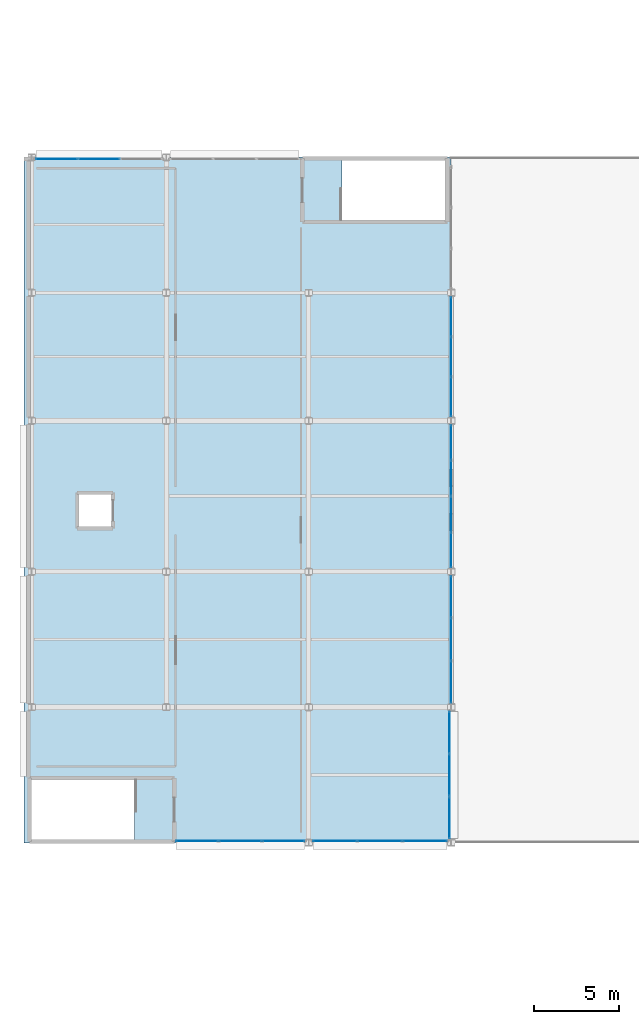
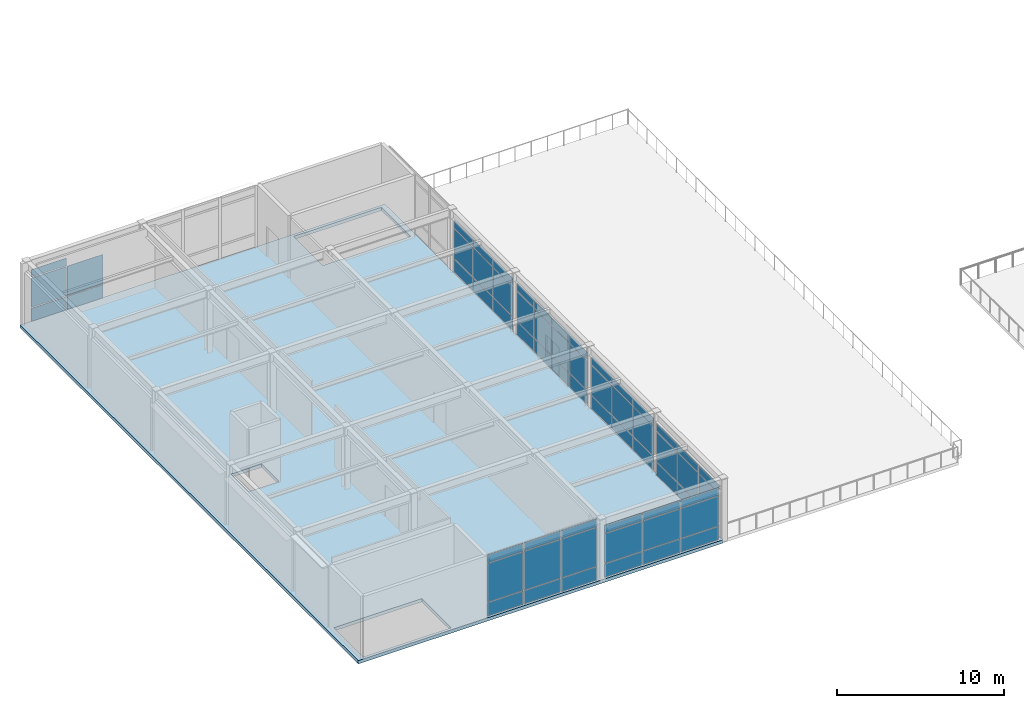
# One storey, part 44 of 61: 62 plates, 1 slab, 7 elements without a shape of their own.
"""IFC4 building model written with IfcOpenShell, lengths in metres."""

from ifc_helpers import new_model, si_unit, direction, frame, origin, origin_2d, place, context, subcontext, project, spatial, polyline, rectangle, outline, extrude, material, layer, layer_set, type_object, element, aggregate, save


model = new_model("IFC4")

# Units and contexts
model_context = context("Model", 3, precision=1e-05, world=origin(), true_north=direction((0.0, 1.0)))
body_context = subcontext(model_context, "Body", "Model", "MODEL_VIEW")
ifc_project = project(units=[si_unit("LENGTHUNIT", "METRE"), si_unit("AREAUNIT", "SQUARE_METRE"), si_unit("VOLUMEUNIT", "CUBIC_METRE"), si_unit("PLANEANGLEUNIT", "RADIAN"), si_unit("MASSUNIT", "GRAM", prefix="KILO")], contexts=[model_context])

# Site, building, storey
site_placement = place(None, origin())
site = spatial("IfcSite", under=ifc_project, at=site_placement, CompositionType="ELEMENT")
building_placement = place(site_placement, origin())
building = spatial("IfcBuilding", under=site, at=building_placement, Name="Kazehara Bluff Congress Hotel", CompositionType="ELEMENT")
storey_placement = place(building_placement, frame((0.0, 0.0, 19.800048828125)))
storey = spatial("IfcBuildingStorey", under=building, at=storey_placement, Name="L04", CompositionType="ELEMENT", Elevation=19.800048828125)

# Curtain wall, plates
ifc_material_1 = material(Name="Anodised aluminium", Category="aluminium")
ifc_layer_1 = layer(ifc_material_1, 0.159912109375)
ifc_layer_set_1 = layer_set([ifc_layer_1], Name="Anodised aluminium")
curtain_wall_type_1 = type_object("IfcCurtainWallType", Name="TP-CW-63", PredefinedType="NOTDEFINED", material=ifc_layer_set_1)
curtain_wall_1_placement = place(storey_placement, origin())
curtain_wall_1 = element("IfcCurtainWall", 1, at=curtain_wall_1_placement, inside=storey, type_object=curtain_wall_type_1, Name="L04 curtain wall CW-63 CW-V4-L04-X8445-2420", PredefinedType="NOTDEFINED")
ifc_material_2 = material(Name="Insulated low-E double glazing", Category="glass")
ifc_layer_2 = layer(ifc_material_2, 0.028076171875)
ifc_layer_set_2 = layer_set([ifc_layer_2], Name="Insulated low-E double glazing")
plate_type_1 = type_object("IfcPlateType", Name="TP-CWP-01", PredefinedType="CURTAIN_PANEL", material=ifc_layer_set_2)
plate_1_placement = place(storey_placement, frame((84.449951171875, 25.48291015625, 0.06494140625), z_axis=(0.0, 0.0, 1.0), x_axis=(0.0, 1.0, 0.0)))
plate_1 = element("IfcPlate", 2, at=plate_1_placement, type_object=plate_type_1, Name="CW-63 panel 1.1", PredefinedType="CURTAIN_PANEL", context=body_context, shape_type="SweptSolid", body=[
    extrude(rectangle(XDim=2.435791015625, YDim=0.028076171875, at=origin_2d()), origin(), (0.0, 0.0, 1.0), 0.952392578125),
])
plate_2_placement = place(storey_placement, frame((84.449951171875, 25.48291015625, 1.08251953125), z_axis=(0.0, 0.0, 1.0), x_axis=(0.0, 1.0, 0.0)))
plate_2 = element("IfcPlate", 3, at=plate_2_placement, type_object=plate_type_1, Name="CW-63 panel 1.2", PredefinedType="CURTAIN_PANEL", context=body_context, shape_type="SweptSolid", body=[
    extrude(rectangle(XDim=2.435791015625, YDim=0.028076171875, at=origin_2d()), origin(), (0.0, 0.0, 1.0), 2.139892578125),
])
plate_3_placement = place(storey_placement, frame((84.449951171875, 25.48291015625, 3.28759765625), z_axis=(0.0, 0.0, 1.0), x_axis=(0.0, 1.0, 0.0)))
plate_3 = element("IfcPlate", 4, at=plate_3_placement, type_object=plate_type_1, Name="CW-63 panel 1.3", PredefinedType="CURTAIN_PANEL", context=body_context, shape_type="SweptSolid", body=[
    extrude(rectangle(XDim=2.435791015625, YDim=0.028076171875, at=origin_2d()), origin(), (0.0, 0.0, 1.0), 0.552490234375),
])
plate_4_placement = place(storey_placement, frame((84.449951171875, 28.0, 0.06494140625), z_axis=(0.0, 0.0, 1.0), x_axis=(0.0, 1.0, 0.0)))
plate_4 = element("IfcPlate", 5, at=plate_4_placement, type_object=plate_type_1, Name="CW-63 panel 2.1", PredefinedType="CURTAIN_PANEL", context=body_context, shape_type="SweptSolid", body=[
    extrude(rectangle(XDim=2.46826171875, YDim=0.028076171875, at=origin_2d()), origin(), (0.0, 0.0, 1.0), 0.952392578125),
])
plate_5_placement = place(storey_placement, frame((84.449951171875, 28.0, 1.08251953125), z_axis=(0.0, 0.0, 1.0), x_axis=(0.0, 1.0, 0.0)))
plate_5 = element("IfcPlate", 6, at=plate_5_placement, type_object=plate_type_1, Name="CW-63 panel 2.2", PredefinedType="CURTAIN_PANEL", context=body_context, shape_type="SweptSolid", body=[
    extrude(rectangle(XDim=2.46826171875, YDim=0.028076171875, at=origin_2d()), origin(), (0.0, 0.0, 1.0), 2.139892578125),
])
plate_6_placement = place(storey_placement, frame((84.449951171875, 28.0, 3.28759765625), z_axis=(0.0, 0.0, 1.0), x_axis=(0.0, 1.0, 0.0)))
plate_6 = element("IfcPlate", 7, at=plate_6_placement, type_object=plate_type_1, Name="CW-63 panel 2.3", PredefinedType="CURTAIN_PANEL", context=body_context, shape_type="SweptSolid", body=[
    extrude(rectangle(XDim=2.46826171875, YDim=0.028076171875, at=origin_2d()), origin(), (0.0, 0.0, 1.0), 0.552490234375),
])
plate_7_placement = place(storey_placement, frame((84.449951171875, 30.51708984375, 0.06494140625), z_axis=(0.0, 0.0, 1.0), x_axis=(0.0, 1.0, 0.0)))
plate_7 = element("IfcPlate", 8, at=plate_7_placement, type_object=plate_type_1, Name="CW-63 panel 3.1", PredefinedType="CURTAIN_PANEL", context=body_context, shape_type="SweptSolid", body=[
    extrude(rectangle(XDim=2.435791015625, YDim=0.028076171875, at=origin_2d()), origin(), (0.0, 0.0, 1.0), 0.952392578125),
])
plate_8_placement = place(storey_placement, frame((84.449951171875, 30.51708984375, 1.08251953125), z_axis=(0.0, 0.0, 1.0), x_axis=(0.0, 1.0, 0.0)))
plate_8 = element("IfcPlate", 9, at=plate_8_placement, type_object=plate_type_1, Name="CW-63 panel 3.2", PredefinedType="CURTAIN_PANEL", context=body_context, shape_type="SweptSolid", body=[
    extrude(rectangle(XDim=2.435791015625, YDim=0.028076171875, at=origin_2d()), origin(), (0.0, 0.0, 1.0), 2.139892578125),
])
plate_9_placement = place(storey_placement, frame((84.449951171875, 30.51708984375, 3.28759765625), z_axis=(0.0, 0.0, 1.0), x_axis=(0.0, 1.0, 0.0)))
plate_9 = element("IfcPlate", 10, at=plate_9_placement, type_object=plate_type_1, Name="CW-63 panel 3.3", PredefinedType="CURTAIN_PANEL", context=body_context, shape_type="SweptSolid", body=[
    extrude(rectangle(XDim=2.435791015625, YDim=0.028076171875, at=origin_2d()), origin(), (0.0, 0.0, 1.0), 0.552490234375),
])
aggregate(curtain_wall_1, [plate_1, plate_2, plate_3, plate_4, plate_5, plate_6, plate_7, plate_8, plate_9])

ifc_material_3 = material(Name="Anodised aluminium", Category="aluminium")
ifc_layer_3 = layer(ifc_material_3, 0.159912109375)
ifc_layer_set_3 = layer_set([ifc_layer_3], Name="Anodised aluminium")
curtain_wall_type_2 = type_object("IfcCurtainWallType", Name="TP-CW-64", PredefinedType="NOTDEFINED", material=ifc_layer_set_3)
curtain_wall_2_placement = place(storey_placement, origin())
curtain_wall_2 = element("IfcCurtainWall", 11, at=curtain_wall_2_placement, inside=storey, type_object=curtain_wall_type_2, Name="L04 curtain wall CW-64 CW-V4-L04-X8445-3220", PredefinedType="NOTDEFINED")
plate_10_placement = place(storey_placement, frame((84.449951171875, 33.27880859375, 0.06494140625), z_axis=(0.0, 0.0, 1.0), x_axis=(0.0, 1.0, 0.0)))
plate_10 = element("IfcPlate", 12, at=plate_10_placement, type_object=plate_type_1, Name="CW-64 panel 1.1", PredefinedType="CURTAIN_PANEL", context=body_context, shape_type="SweptSolid", body=[
    extrude(rectangle(XDim=2.027587890625, YDim=0.028076171875, at=origin_2d()), origin(), (0.0, 0.0, 1.0), 0.952392578125),
])
plate_11_placement = place(storey_placement, frame((84.449951171875, 33.27880859375, 1.08251953125), z_axis=(0.0, 0.0, 1.0), x_axis=(0.0, 1.0, 0.0)))
plate_11 = element("IfcPlate", 13, at=plate_11_placement, type_object=plate_type_1, Name="CW-64 panel 1.2", PredefinedType="CURTAIN_PANEL", context=body_context, shape_type="SweptSolid", body=[
    extrude(rectangle(XDim=2.027587890625, YDim=0.028076171875, at=origin_2d()), origin(), (0.0, 0.0, 1.0), 2.139892578125),
])
plate_12_placement = place(storey_placement, frame((84.449951171875, 33.27880859375, 3.28759765625), z_axis=(0.0, 0.0, 1.0), x_axis=(0.0, 1.0, 0.0)))
plate_12 = element("IfcPlate", 14, at=plate_12_placement, type_object=plate_type_1, Name="CW-64 panel 1.3", PredefinedType="CURTAIN_PANEL", context=body_context, shape_type="SweptSolid", body=[
    extrude(rectangle(XDim=2.027587890625, YDim=0.028076171875, at=origin_2d()), origin(), (0.0, 0.0, 1.0), 0.552490234375),
])
plate_13_placement = place(storey_placement, frame((84.449951171875, 35.387451171875, 0.06494140625), z_axis=(0.0, 0.0, 1.0), x_axis=(0.0, 1.0, 0.0)))
plate_13 = element("IfcPlate", 15, at=plate_13_placement, type_object=plate_type_1, Name="CW-64 panel 2.1", PredefinedType="CURTAIN_PANEL", context=body_context, shape_type="SweptSolid", body=[
    extrude(rectangle(XDim=2.06005859375, YDim=0.028076171875, at=origin_2d()), origin(), (0.0, 0.0, 1.0), 0.952392578125),
])
plate_14_placement = place(storey_placement, frame((84.449951171875, 35.387451171875, 1.08251953125), z_axis=(0.0, 0.0, 1.0), x_axis=(0.0, 1.0, 0.0)))
plate_14 = element("IfcPlate", 16, at=plate_14_placement, type_object=plate_type_1, Name="CW-64 panel 2.2", PredefinedType="CURTAIN_PANEL", context=body_context, shape_type="SweptSolid", body=[
    extrude(rectangle(XDim=2.06005859375, YDim=0.028076171875, at=origin_2d()), origin(), (0.0, 0.0, 1.0), 2.139892578125),
])
plate_15_placement = place(storey_placement, frame((84.449951171875, 35.387451171875, 3.28759765625), z_axis=(0.0, 0.0, 1.0), x_axis=(0.0, 1.0, 0.0)))
plate_15 = element("IfcPlate", 17, at=plate_15_placement, type_object=plate_type_1, Name="CW-64 panel 2.3", PredefinedType="CURTAIN_PANEL", context=body_context, shape_type="SweptSolid", body=[
    extrude(rectangle(XDim=2.06005859375, YDim=0.028076171875, at=origin_2d()), origin(), (0.0, 0.0, 1.0), 0.552490234375),
])
plate_16_placement = place(storey_placement, frame((84.449951171875, 37.512451171875, 0.06494140625), z_axis=(0.0, 0.0, 1.0), x_axis=(0.0, 1.0, 0.0)))
plate_16 = element("IfcPlate", 18, at=plate_16_placement, type_object=plate_type_1, Name="CW-64 panel 3.1", PredefinedType="CURTAIN_PANEL", context=body_context, shape_type="SweptSolid", body=[
    extrude(rectangle(XDim=2.06005859375, YDim=0.028076171875, at=origin_2d()), origin(), (0.0, 0.0, 1.0), 0.952392578125),
])
plate_17_placement = place(storey_placement, frame((84.449951171875, 37.512451171875, 1.08251953125), z_axis=(0.0, 0.0, 1.0), x_axis=(0.0, 1.0, 0.0)))
plate_17 = element("IfcPlate", 19, at=plate_17_placement, type_object=plate_type_1, Name="CW-64 panel 3.2", PredefinedType="CURTAIN_PANEL", context=body_context, shape_type="SweptSolid", body=[
    extrude(rectangle(XDim=2.06005859375, YDim=0.028076171875, at=origin_2d()), origin(), (0.0, 0.0, 1.0), 2.139892578125),
])
plate_18_placement = place(storey_placement, frame((84.449951171875, 37.512451171875, 3.28759765625), z_axis=(0.0, 0.0, 1.0), x_axis=(0.0, 1.0, 0.0)))
plate_18 = element("IfcPlate", 20, at=plate_18_placement, type_object=plate_type_1, Name="CW-64 panel 3.3", PredefinedType="CURTAIN_PANEL", context=body_context, shape_type="SweptSolid", body=[
    extrude(rectangle(XDim=2.06005859375, YDim=0.028076171875, at=origin_2d()), origin(), (0.0, 0.0, 1.0), 0.552490234375),
])
plate_19_placement = place(storey_placement, frame((84.449951171875, 39.621337890625, 0.06494140625), z_axis=(0.0, 0.0, 1.0), x_axis=(0.0, 1.0, 0.0)))
plate_19 = element("IfcPlate", 21, at=plate_19_placement, type_object=plate_type_1, Name="CW-64 panel 4.1", PredefinedType="CURTAIN_PANEL", context=body_context, shape_type="SweptSolid", body=[
    extrude(rectangle(XDim=2.027587890625, YDim=0.028076171875, at=origin_2d()), origin(), (0.0, 0.0, 1.0), 0.952392578125),
])
plate_20_placement = place(storey_placement, frame((84.449951171875, 39.621337890625, 1.08251953125), z_axis=(0.0, 0.0, 1.0), x_axis=(0.0, 1.0, 0.0)))
plate_20 = element("IfcPlate", 22, at=plate_20_placement, type_object=plate_type_1, Name="CW-64 panel 4.2", PredefinedType="CURTAIN_PANEL", context=body_context, shape_type="SweptSolid", body=[
    extrude(rectangle(XDim=2.027587890625, YDim=0.028076171875, at=origin_2d()), origin(), (0.0, 0.0, 1.0), 2.139892578125),
])
plate_21_placement = place(storey_placement, frame((84.449951171875, 39.621337890625, 3.28759765625), z_axis=(0.0, 0.0, 1.0), x_axis=(0.0, 1.0, 0.0)))
plate_21 = element("IfcPlate", 23, at=plate_21_placement, type_object=plate_type_1, Name="CW-64 panel 4.3", PredefinedType="CURTAIN_PANEL", context=body_context, shape_type="SweptSolid", body=[
    extrude(rectangle(XDim=2.027587890625, YDim=0.028076171875, at=origin_2d()), origin(), (0.0, 0.0, 1.0), 0.552490234375),
])
aggregate(curtain_wall_2, [plate_10, plate_11, plate_12, plate_13, plate_14, plate_15, plate_16, plate_17, plate_18, plate_19, plate_20, plate_21])

ifc_material_4 = material(Name="Anodised aluminium", Category="aluminium")
ifc_layer_4 = layer(ifc_material_4, 0.159912109375)
ifc_layer_set_4 = layer_set([ifc_layer_4], Name="Anodised aluminium")
curtain_wall_type_3 = type_object("IfcCurtainWallType", Name="TP-CW-65", PredefinedType="NOTDEFINED", material=ifc_layer_set_4)
curtain_wall_3_placement = place(storey_placement, origin())
curtain_wall_3 = element("IfcCurtainWall", 24, at=curtain_wall_3_placement, inside=storey, type_object=curtain_wall_type_3, Name="L04 curtain wall CW-65 CW-V4-L04-X8445-4110", PredefinedType="NOTDEFINED")
plate_22_placement = place(storey_placement, frame((84.449951171875, 42.307861328125, 0.06494140625), z_axis=(0.0, 0.0, 1.0), x_axis=(0.0, 1.0, 0.0)))
plate_22 = element("IfcPlate", 25, at=plate_22_placement, type_object=plate_type_1, Name="CW-65 panel 1.1", PredefinedType="CURTAIN_PANEL", context=body_context, shape_type="SweptSolid", body=[
    extrude(rectangle(XDim=2.285888671875, YDim=0.028076171875, at=origin_2d()), origin(), (0.0, 0.0, 1.0), 0.952392578125),
])
plate_23_placement = place(storey_placement, frame((84.449951171875, 42.307861328125, 1.08251953125), z_axis=(0.0, 0.0, 1.0), x_axis=(0.0, 1.0, 0.0)))
plate_23 = element("IfcPlate", 26, at=plate_23_placement, type_object=plate_type_1, Name="CW-65 panel 1.2", PredefinedType="CURTAIN_PANEL", context=body_context, shape_type="SweptSolid", body=[
    extrude(rectangle(XDim=2.285888671875, YDim=0.028076171875, at=origin_2d()), origin(), (0.0, 0.0, 1.0), 2.139892578125),
])
plate_24_placement = place(storey_placement, frame((84.449951171875, 42.307861328125, 3.28759765625), z_axis=(0.0, 0.0, 1.0), x_axis=(0.0, 1.0, 0.0)))
plate_24 = element("IfcPlate", 27, at=plate_24_placement, type_object=plate_type_1, Name="CW-65 panel 1.3", PredefinedType="CURTAIN_PANEL", context=body_context, shape_type="SweptSolid", body=[
    extrude(rectangle(XDim=2.285888671875, YDim=0.028076171875, at=origin_2d()), origin(), (0.0, 0.0, 1.0), 0.552490234375),
])
plate_25_placement = place(storey_placement, frame((84.449951171875, 44.675048828125, 0.06494140625), z_axis=(0.0, 0.0, 1.0), x_axis=(0.0, 1.0, 0.0)))
plate_25 = element("IfcPlate", 28, at=plate_25_placement, type_object=plate_type_1, Name="CW-65 panel 2.1", PredefinedType="CURTAIN_PANEL", context=body_context, shape_type="SweptSolid", body=[
    extrude(rectangle(XDim=2.318359375, YDim=0.028076171875, at=origin_2d()), origin(), (0.0, 0.0, 1.0), 0.952392578125),
])
plate_26_placement = place(storey_placement, frame((84.449951171875, 44.675048828125, 1.08251953125), z_axis=(0.0, 0.0, 1.0), x_axis=(0.0, 1.0, 0.0)))
plate_26 = element("IfcPlate", 29, at=plate_26_placement, type_object=plate_type_1, Name="CW-65 panel 2.2", PredefinedType="CURTAIN_PANEL", context=body_context, shape_type="SweptSolid", body=[
    extrude(rectangle(XDim=2.318359375, YDim=0.028076171875, at=origin_2d()), origin(), (0.0, 0.0, 1.0), 2.139892578125),
])
plate_27_placement = place(storey_placement, frame((84.449951171875, 44.675048828125, 3.28759765625), z_axis=(0.0, 0.0, 1.0), x_axis=(0.0, 1.0, 0.0)))
plate_27 = element("IfcPlate", 30, at=plate_27_placement, type_object=plate_type_1, Name="CW-65 panel 2.3", PredefinedType="CURTAIN_PANEL", context=body_context, shape_type="SweptSolid", body=[
    extrude(rectangle(XDim=2.318359375, YDim=0.028076171875, at=origin_2d()), origin(), (0.0, 0.0, 1.0), 0.552490234375),
])
plate_28_placement = place(storey_placement, frame((84.449951171875, 47.0419921875, 0.06494140625), z_axis=(0.0, 0.0, 1.0), x_axis=(0.0, 1.0, 0.0)))
plate_28 = element("IfcPlate", 31, at=plate_28_placement, type_object=plate_type_1, Name="CW-65 panel 3.1", PredefinedType="CURTAIN_PANEL", context=body_context, shape_type="SweptSolid", body=[
    extrude(rectangle(XDim=2.285888671875, YDim=0.028076171875, at=origin_2d()), origin(), (0.0, 0.0, 1.0), 0.952392578125),
])
plate_29_placement = place(storey_placement, frame((84.449951171875, 47.0419921875, 1.08251953125), z_axis=(0.0, 0.0, 1.0), x_axis=(0.0, 1.0, 0.0)))
plate_29 = element("IfcPlate", 32, at=plate_29_placement, type_object=plate_type_1, Name="CW-65 panel 3.2", PredefinedType="CURTAIN_PANEL", context=body_context, shape_type="SweptSolid", body=[
    extrude(rectangle(XDim=2.285888671875, YDim=0.028076171875, at=origin_2d()), origin(), (0.0, 0.0, 1.0), 2.139892578125),
])
plate_30_placement = place(storey_placement, frame((84.449951171875, 47.0419921875, 3.28759765625), z_axis=(0.0, 0.0, 1.0), x_axis=(0.0, 1.0, 0.0)))
plate_30 = element("IfcPlate", 33, at=plate_30_placement, type_object=plate_type_1, Name="CW-65 panel 3.3", PredefinedType="CURTAIN_PANEL", context=body_context, shape_type="SweptSolid", body=[
    extrude(rectangle(XDim=2.285888671875, YDim=0.028076171875, at=origin_2d()), origin(), (0.0, 0.0, 1.0), 0.552490234375),
])
aggregate(curtain_wall_3, [plate_22, plate_23, plate_24, plate_25, plate_26, plate_27, plate_28, plate_29, plate_30])

ifc_material_5 = material(Name="Anodised aluminium", Category="aluminium")
ifc_layer_5 = layer(ifc_material_5, 0.159912109375)
ifc_layer_set_5 = layer_set([ifc_layer_5], Name="Anodised aluminium")
curtain_wall_type_4 = type_object("IfcCurtainWallType", Name="TP-CW-155", PredefinedType="NOTDEFINED", material=ifc_layer_set_5)
curtain_wall_4_placement = place(storey_placement, origin())
curtain_wall_4 = element("IfcCurtainWall", 34, at=curtain_wall_4_placement, inside=storey, type_object=curtain_wall_type_4, Name="L04 curtain wall CW-155 CW-ENC-V4-L04-8025-1610", PredefinedType="NOTDEFINED")
plate_31_placement = place(storey_placement, frame((82.900390625, 16.10009765625, 0.06494140625), z_axis=(0.0, 0.0, 1.0), x_axis=(-1.0, 0.0, 0.0)))
plate_31 = element("IfcPlate", 35, at=plate_31_placement, type_object=plate_type_1, Name="CW-155 panel 1.1", PredefinedType="CURTAIN_PANEL", context=body_context, shape_type="SweptSolid", body=[
    extrude(rectangle(XDim=2.569091796875, YDim=0.028076171875, at=origin_2d()), origin(), (0.0, 0.0, 1.0), 0.952392578125),
])
plate_32_placement = place(storey_placement, frame((82.900390625, 16.10009765625, 1.08251953125), z_axis=(0.0, 0.0, 1.0), x_axis=(-1.0, 0.0, 0.0)))
plate_32 = element("IfcPlate", 36, at=plate_32_placement, type_object=plate_type_1, Name="CW-155 panel 1.2", PredefinedType="CURTAIN_PANEL", context=body_context, shape_type="SweptSolid", body=[
    extrude(rectangle(XDim=2.569091796875, YDim=0.028076171875, at=origin_2d()), origin(), (0.0, 0.0, 1.0), 2.139892578125),
])
plate_33_placement = place(storey_placement, frame((82.900390625, 16.10009765625, 3.28759765625), z_axis=(0.0, 0.0, 1.0), x_axis=(-1.0, 0.0, 0.0)))
plate_33 = element("IfcPlate", 37, at=plate_33_placement, type_object=plate_type_1, Name="CW-155 panel 1.3", PredefinedType="CURTAIN_PANEL", context=body_context, shape_type="SweptSolid", body=[
    extrude(rectangle(XDim=2.569091796875, YDim=0.028076171875, at=origin_2d()), origin(), (0.0, 0.0, 1.0), 0.552490234375),
])
plate_34_placement = place(storey_placement, frame((80.25, 16.10009765625, 0.06494140625), z_axis=(0.0, 0.0, 1.0), x_axis=(-1.0, 0.0, 0.0)))
plate_34 = element("IfcPlate", 38, at=plate_34_placement, type_object=plate_type_1, Name="CW-155 panel 2.1", PredefinedType="CURTAIN_PANEL", context=body_context, shape_type="SweptSolid", body=[
    extrude(rectangle(XDim=2.6015625, YDim=0.028076171875, at=origin_2d()), origin(), (0.0, 0.0, 1.0), 0.952392578125),
])
plate_35_placement = place(storey_placement, frame((80.25, 16.10009765625, 1.08251953125), z_axis=(0.0, 0.0, 1.0), x_axis=(-1.0, 0.0, 0.0)))
plate_35 = element("IfcPlate", 39, at=plate_35_placement, type_object=plate_type_1, Name="CW-155 panel 2.2", PredefinedType="CURTAIN_PANEL", context=body_context, shape_type="SweptSolid", body=[
    extrude(rectangle(XDim=2.6015625, YDim=0.028076171875, at=origin_2d()), origin(), (0.0, 0.0, 1.0), 2.139892578125),
])
plate_36_placement = place(storey_placement, frame((80.25, 16.10009765625, 3.28759765625), z_axis=(0.0, 0.0, 1.0), x_axis=(-1.0, 0.0, 0.0)))
plate_36 = element("IfcPlate", 40, at=plate_36_placement, type_object=plate_type_1, Name="CW-155 panel 2.3", PredefinedType="CURTAIN_PANEL", context=body_context, shape_type="SweptSolid", body=[
    extrude(rectangle(XDim=2.6015625, YDim=0.028076171875, at=origin_2d()), origin(), (0.0, 0.0, 1.0), 0.552490234375),
])
plate_37_placement = place(storey_placement, frame((77.599609375, 16.10009765625, 0.06494140625), z_axis=(0.0, 0.0, 1.0), x_axis=(-1.0, 0.0, 0.0)))
plate_37 = element("IfcPlate", 41, at=plate_37_placement, type_object=plate_type_1, Name="CW-155 panel 3.1", PredefinedType="CURTAIN_PANEL", context=body_context, shape_type="SweptSolid", body=[
    extrude(rectangle(XDim=2.569091796875, YDim=0.028076171875, at=origin_2d()), origin(), (0.0, 0.0, 1.0), 0.952392578125),
])
plate_38_placement = place(storey_placement, frame((77.599609375, 16.10009765625, 1.08251953125), z_axis=(0.0, 0.0, 1.0), x_axis=(-1.0, 0.0, 0.0)))
plate_38 = element("IfcPlate", 42, at=plate_38_placement, type_object=plate_type_1, Name="CW-155 panel 3.2", PredefinedType="CURTAIN_PANEL", context=body_context, shape_type="SweptSolid", body=[
    extrude(rectangle(XDim=2.569091796875, YDim=0.028076171875, at=origin_2d()), origin(), (0.0, 0.0, 1.0), 2.139892578125),
])
plate_39_placement = place(storey_placement, frame((77.599609375, 16.10009765625, 3.28759765625), z_axis=(0.0, 0.0, 1.0), x_axis=(-1.0, 0.0, 0.0)))
plate_39 = element("IfcPlate", 43, at=plate_39_placement, type_object=plate_type_1, Name="CW-155 panel 3.3", PredefinedType="CURTAIN_PANEL", context=body_context, shape_type="SweptSolid", body=[
    extrude(rectangle(XDim=2.569091796875, YDim=0.028076171875, at=origin_2d()), origin(), (0.0, 0.0, 1.0), 0.552490234375),
])
aggregate(curtain_wall_4, [plate_31, plate_32, plate_33, plate_34, plate_35, plate_36, plate_37, plate_38, plate_39])

curtain_wall_5_placement = place(storey_placement, origin())
curtain_wall_5 = element("IfcCurtainWall", 44, at=curtain_wall_5_placement, inside=storey, type_object=curtain_wall_type_1, Name="L04 curtain wall CW-63 CW-ENC-V4-L04-8435-2000", PredefinedType="NOTDEFINED")
plate_40_placement = place(storey_placement, frame((84.35009765625, 22.51708984375, 0.06494140625), z_axis=(0.0, 0.0, 1.0), x_axis=(0.0, -1.0, 0.0)))
plate_40 = element("IfcPlate", 45, at=plate_40_placement, type_object=plate_type_1, Name="CW-63 panel 1.1", PredefinedType="CURTAIN_PANEL", context=body_context, shape_type="SweptSolid", body=[
    extrude(rectangle(XDim=2.435791015625, YDim=0.028076171875, at=origin_2d()), origin(), (0.0, 0.0, 1.0), 0.952392578125),
])
plate_41_placement = place(storey_placement, frame((84.35009765625, 22.51708984375, 1.08251953125), z_axis=(0.0, 0.0, 1.0), x_axis=(0.0, -1.0, 0.0)))
plate_41 = element("IfcPlate", 46, at=plate_41_placement, type_object=plate_type_1, Name="CW-63 panel 1.2", PredefinedType="CURTAIN_PANEL", context=body_context, shape_type="SweptSolid", body=[
    extrude(rectangle(XDim=2.435791015625, YDim=0.028076171875, at=origin_2d()), origin(), (0.0, 0.0, 1.0), 2.139892578125),
])
plate_42_placement = place(storey_placement, frame((84.35009765625, 22.51708984375, 3.28759765625), z_axis=(0.0, 0.0, 1.0), x_axis=(0.0, -1.0, 0.0)))
plate_42 = element("IfcPlate", 47, at=plate_42_placement, type_object=plate_type_1, Name="CW-63 panel 1.3", PredefinedType="CURTAIN_PANEL", context=body_context, shape_type="SweptSolid", body=[
    extrude(rectangle(XDim=2.435791015625, YDim=0.028076171875, at=origin_2d()), origin(), (0.0, 0.0, 1.0), 0.552490234375),
])
plate_43_placement = place(storey_placement, frame((84.35009765625, 20.0, 0.06494140625), z_axis=(0.0, 0.0, 1.0), x_axis=(0.0, -1.0, 0.0)))
plate_43 = element("IfcPlate", 48, at=plate_43_placement, type_object=plate_type_1, Name="CW-63 panel 2.1", PredefinedType="CURTAIN_PANEL", context=body_context, shape_type="SweptSolid", body=[
    extrude(rectangle(XDim=2.46826171875, YDim=0.028076171875, at=origin_2d()), origin(), (0.0, 0.0, 1.0), 0.952392578125),
])
plate_44_placement = place(storey_placement, frame((84.35009765625, 20.0, 1.08251953125), z_axis=(0.0, 0.0, 1.0), x_axis=(0.0, -1.0, 0.0)))
plate_44 = element("IfcPlate", 49, at=plate_44_placement, type_object=plate_type_1, Name="CW-63 panel 2.2", PredefinedType="CURTAIN_PANEL", context=body_context, shape_type="SweptSolid", body=[
    extrude(rectangle(XDim=2.46826171875, YDim=0.028076171875, at=origin_2d()), origin(), (0.0, 0.0, 1.0), 2.139892578125),
])
plate_45_placement = place(storey_placement, frame((84.35009765625, 20.0, 3.28759765625), z_axis=(0.0, 0.0, 1.0), x_axis=(0.0, -1.0, 0.0)))
plate_45 = element("IfcPlate", 50, at=plate_45_placement, type_object=plate_type_1, Name="CW-63 panel 2.3", PredefinedType="CURTAIN_PANEL", context=body_context, shape_type="SweptSolid", body=[
    extrude(rectangle(XDim=2.46826171875, YDim=0.028076171875, at=origin_2d()), origin(), (0.0, 0.0, 1.0), 0.552490234375),
])
plate_46_placement = place(storey_placement, frame((84.35009765625, 17.48291015625, 0.06494140625), z_axis=(0.0, 0.0, 1.0), x_axis=(0.0, -1.0, 0.0)))
plate_46 = element("IfcPlate", 51, at=plate_46_placement, type_object=plate_type_1, Name="CW-63 panel 3.1", PredefinedType="CURTAIN_PANEL", context=body_context, shape_type="SweptSolid", body=[
    extrude(rectangle(XDim=2.435791015625, YDim=0.028076171875, at=origin_2d()), origin(), (0.0, 0.0, 1.0), 0.952392578125),
])
plate_47_placement = place(storey_placement, frame((84.35009765625, 17.48291015625, 1.08251953125), z_axis=(0.0, 0.0, 1.0), x_axis=(0.0, -1.0, 0.0)))
plate_47 = element("IfcPlate", 52, at=plate_47_placement, type_object=plate_type_1, Name="CW-63 panel 3.2", PredefinedType="CURTAIN_PANEL", context=body_context, shape_type="SweptSolid", body=[
    extrude(rectangle(XDim=2.435791015625, YDim=0.028076171875, at=origin_2d()), origin(), (0.0, 0.0, 1.0), 2.139892578125),
])
plate_48_placement = place(storey_placement, frame((84.35009765625, 17.48291015625, 3.28759765625), z_axis=(0.0, 0.0, 1.0), x_axis=(0.0, -1.0, 0.0)))
plate_48 = element("IfcPlate", 53, at=plate_48_placement, type_object=plate_type_1, Name="CW-63 panel 3.3", PredefinedType="CURTAIN_PANEL", context=body_context, shape_type="SweptSolid", body=[
    extrude(rectangle(XDim=2.435791015625, YDim=0.028076171875, at=origin_2d()), origin(), (0.0, 0.0, 1.0), 0.552490234375),
])
aggregate(curtain_wall_5, [plate_40, plate_41, plate_42, plate_43, plate_44, plate_45, plate_46, plate_47, plate_48])

ifc_material_6 = material(Name="Anodised aluminium", Category="aluminium")
ifc_layer_6 = layer(ifc_material_6, 0.159912109375)
ifc_layer_set_6 = layer_set([ifc_layer_6], Name="Anodised aluminium")
curtain_wall_type_5 = type_object("IfcCurtainWallType", Name="TP-CW-156", PredefinedType="NOTDEFINED", material=ifc_layer_set_6)
curtain_wall_6_placement = place(storey_placement, origin())
curtain_wall_6 = element("IfcCurtainWall", 54, at=curtain_wall_6_placement, inside=storey, type_object=curtain_wall_type_5, Name="L04 curtain wall CW-156 CW-ENC-V4-L04-6368-5635", PredefinedType="NOTDEFINED")
plate_49_placement = place(storey_placement, frame((61.174560546875, 56.35009765625, 0.06494140625), z_axis=(0.0, 0.0, 1.0), x_axis=(1.0, 0.0, 0.0)))
plate_49 = element("IfcPlate", 55, at=plate_49_placement, type_object=plate_type_1, Name="CW-156 panel 1.1", PredefinedType="CURTAIN_PANEL", context=body_context, shape_type="SweptSolid", body=[
    extrude(rectangle(XDim=2.419189453125, YDim=0.028076171875, at=origin_2d()), origin(), (0.0, 0.0, 1.0), 0.952392578125),
])
plate_50_placement = place(storey_placement, frame((61.174560546875, 56.35009765625, 1.08251953125), z_axis=(0.0, 0.0, 1.0), x_axis=(1.0, 0.0, 0.0)))
plate_50 = element("IfcPlate", 56, at=plate_50_placement, type_object=plate_type_1, Name="CW-156 panel 1.2", PredefinedType="CURTAIN_PANEL", context=body_context, shape_type="SweptSolid", body=[
    extrude(rectangle(XDim=2.419189453125, YDim=0.028076171875, at=origin_2d()), origin(), (0.0, 0.0, 1.0), 2.139892578125),
])
plate_51_placement = place(storey_placement, frame((61.174560546875, 56.35009765625, 3.28759765625), z_axis=(0.0, 0.0, 1.0), x_axis=(1.0, 0.0, 0.0)))
plate_51 = element("IfcPlate", 57, at=plate_51_placement, type_object=plate_type_1, Name="CW-156 panel 1.3", PredefinedType="CURTAIN_PANEL", context=body_context, shape_type="SweptSolid", body=[
    extrude(rectangle(XDim=2.419189453125, YDim=0.028076171875, at=origin_2d()), origin(), (0.0, 0.0, 1.0), 0.552490234375),
])
plate_52_placement = place(storey_placement, frame((63.675048828125, 56.35009765625, 0.06494140625), z_axis=(0.0, 0.0, 1.0), x_axis=(1.0, 0.0, 0.0)))
plate_52 = element("IfcPlate", 58, at=plate_52_placement, type_object=plate_type_1, Name="CW-156 panel 2.1", PredefinedType="CURTAIN_PANEL", context=body_context, shape_type="SweptSolid", body=[
    extrude(rectangle(XDim=2.45166015625, YDim=0.028076171875, at=origin_2d()), origin(), (0.0, 0.0, 1.0), 0.952392578125),
])
plate_53_placement = place(storey_placement, frame((63.675048828125, 56.35009765625, 1.08251953125), z_axis=(0.0, 0.0, 1.0), x_axis=(1.0, 0.0, 0.0)))
plate_53 = element("IfcPlate", 59, at=plate_53_placement, type_object=plate_type_1, Name="CW-156 panel 2.2", PredefinedType="CURTAIN_PANEL", context=body_context, shape_type="SweptSolid", body=[
    extrude(rectangle(XDim=2.45166015625, YDim=0.028076171875, at=origin_2d()), origin(), (0.0, 0.0, 1.0), 2.139892578125),
])
aggregate(curtain_wall_6, [plate_49, plate_50, plate_51, plate_52, plate_53])

ifc_material_7 = material(Name="Anodised aluminium", Category="aluminium")
ifc_layer_7 = layer(ifc_material_7, 0.159912109375)
ifc_layer_set_7 = layer_set([ifc_layer_7], Name="Anodised aluminium")
curtain_wall_type_6 = type_object("IfcCurtainWallType", Name="TP-CW-154", PredefinedType="NOTDEFINED", material=ifc_layer_set_7)
curtain_wall_7_placement = place(storey_placement, origin())
curtain_wall_7 = element("IfcCurtainWall", 60, at=curtain_wall_7_placement, inside=storey, type_object=curtain_wall_type_6, Name="L04 curtain wall CW-154 CW-ENC-V4-L04-7201-1610", PredefinedType="NOTDEFINED")
ifc_material_8 = material(Name="Insulated low-E double glazing", Category="glass")
ifc_layer_8 = layer(ifc_material_8, 0.031982421875)
ifc_layer_set_8 = layer_set([ifc_layer_8], Name="Insulated low-E double glazing")
plate_type_2 = type_object("IfcPlateType", Name="TP-CWP-02", PredefinedType="CURTAIN_PANEL", material=ifc_layer_set_8)
plate_54_placement = place(storey_placement, frame((74.5517578125, 16.10009765625, 0.06494140625), z_axis=(0.0, 0.0, 1.0), x_axis=(-1.0, 0.0, 0.0)))
plate_54 = element("IfcPlate", 61, at=plate_54_placement, type_object=plate_type_2, Name="CW-154 panel 1.1", PredefinedType="CURTAIN_PANEL", context=body_context, shape_type="SweptSolid", body=[
    extrude(rectangle(XDim=2.456787109375, YDim=0.031982421875, at=origin_2d()), origin(), (0.0, 0.0, 1.0), 0.952392578125),
])
plate_55_placement = place(storey_placement, frame((74.5517578125, 16.10009765625, 1.08251953125), z_axis=(0.0, 0.0, 1.0), x_axis=(-1.0, 0.0, 0.0)))
plate_55 = element("IfcPlate", 62, at=plate_55_placement, type_object=plate_type_2, Name="CW-154 panel 1.2", PredefinedType="CURTAIN_PANEL", context=body_context, shape_type="SweptSolid", body=[
    extrude(rectangle(XDim=2.456787109375, YDim=0.031982421875, at=origin_2d()), origin(), (0.0, 0.0, 1.0), 2.800048828125),
])
plate_56_placement = place(storey_placement, frame((74.5517578125, 16.10009765625, 3.947265625), z_axis=(0.0, 0.0, 1.0), x_axis=(-1.0, 0.0, 0.0)))
plate_56 = element("IfcPlate", 63, at=plate_56_placement, type_object=plate_type_2, Name="CW-154 panel 1.3", PredefinedType="CURTAIN_PANEL", context=body_context, shape_type="SweptSolid", body=[
    extrude(rectangle(XDim=2.456787109375, YDim=0.031982421875, at=origin_2d()), origin(), (0.0, 0.0, 1.0), 0.552490234375),
])
plate_57_placement = place(storey_placement, frame((72.007568359375, 16.10009765625, 0.06494140625), z_axis=(0.0, 0.0, 1.0), x_axis=(-1.0, 0.0, 0.0)))
plate_57 = element("IfcPlate", 64, at=plate_57_placement, type_object=plate_type_2, Name="CW-154 panel 2.1", PredefinedType="CURTAIN_PANEL", context=body_context, shape_type="SweptSolid", body=[
    extrude(rectangle(XDim=2.49169921875, YDim=0.031982421875, at=origin_2d()), origin(), (0.0, 0.0, 1.0), 0.952392578125),
])
plate_58_placement = place(storey_placement, frame((72.007568359375, 16.10009765625, 1.08251953125), z_axis=(0.0, 0.0, 1.0), x_axis=(-1.0, 0.0, 0.0)))
plate_58 = element("IfcPlate", 65, at=plate_58_placement, type_object=plate_type_2, Name="CW-154 panel 2.2", PredefinedType="CURTAIN_PANEL", context=body_context, shape_type="SweptSolid", body=[
    extrude(rectangle(XDim=2.49169921875, YDim=0.031982421875, at=origin_2d()), origin(), (0.0, 0.0, 1.0), 2.800048828125),
])
plate_59_placement = place(storey_placement, frame((72.007568359375, 16.10009765625, 3.947265625), z_axis=(0.0, 0.0, 1.0), x_axis=(-1.0, 0.0, 0.0)))
plate_59 = element("IfcPlate", 66, at=plate_59_placement, type_object=plate_type_2, Name="CW-154 panel 2.3", PredefinedType="CURTAIN_PANEL", context=body_context, shape_type="SweptSolid", body=[
    extrude(rectangle(XDim=2.49169921875, YDim=0.031982421875, at=origin_2d()), origin(), (0.0, 0.0, 1.0), 0.552490234375),
])
plate_60_placement = place(storey_placement, frame((69.46337890625, 16.10009765625, 0.06494140625), z_axis=(0.0, 0.0, 1.0), x_axis=(-1.0, 0.0, 0.0)))
plate_60 = element("IfcPlate", 67, at=plate_60_placement, type_object=plate_type_2, Name="CW-154 panel 3.1", PredefinedType="CURTAIN_PANEL", context=body_context, shape_type="SweptSolid", body=[
    extrude(rectangle(XDim=2.456787109375, YDim=0.031982421875, at=origin_2d()), origin(), (0.0, 0.0, 1.0), 0.952392578125),
])
plate_61_placement = place(storey_placement, frame((69.46337890625, 16.10009765625, 1.08251953125), z_axis=(0.0, 0.0, 1.0), x_axis=(-1.0, 0.0, 0.0)))
plate_61 = element("IfcPlate", 68, at=plate_61_placement, type_object=plate_type_2, Name="CW-154 panel 3.2", PredefinedType="CURTAIN_PANEL", context=body_context, shape_type="SweptSolid", body=[
    extrude(rectangle(XDim=2.456787109375, YDim=0.031982421875, at=origin_2d()), origin(), (0.0, 0.0, 1.0), 2.800048828125),
])
plate_62_placement = place(storey_placement, frame((69.46337890625, 16.10009765625, 3.947265625), z_axis=(0.0, 0.0, 1.0), x_axis=(-1.0, 0.0, 0.0)))
plate_62 = element("IfcPlate", 69, at=plate_62_placement, type_object=plate_type_2, Name="CW-154 panel 3.3", PredefinedType="CURTAIN_PANEL", context=body_context, shape_type="SweptSolid", body=[
    extrude(rectangle(XDim=2.456787109375, YDim=0.031982421875, at=origin_2d()), origin(), (0.0, 0.0, 1.0), 0.552490234375),
])
aggregate(curtain_wall_7, [plate_54, plate_55, plate_56, plate_57, plate_58, plate_59, plate_60, plate_61, plate_62])

# Slab
ifc_material_9 = material(Name="Concrete C36/45", Category="concrete")
ifc_layer_9 = layer(ifc_material_9, 0.239990234375)
ifc_layer_set_9 = layer_set([ifc_layer_9], Name="Concrete C36/45")
slab_type = type_object("IfcSlabType", Name="TP-SL-240", PredefinedType="FLOOR", material=ifc_layer_set_9)
slab_placement = place(storey_placement, frame((0.0, 0.0, -0.239990234375)))
element("IfcSlab", 70, at=slab_placement, inside=storey, type_object=slab_type, Name="L04 V4 composite floor slab", PredefinedType="FLOOR", context=body_context, shape_type="SweptSolid", body=[
    extrude(outline(polyline([(59.25, 16.0), (84.449951171875, 16.0), (84.449951171875, 56.449951171875), (59.25, 56.449951171875), (59.25, 16.0)]), holes=[polyline([(65.77490234375, 19.699951171875), (59.699951171875, 19.699951171875), (59.699951171875, 16.199951171875), (65.77490234375, 16.199951171875), (65.77490234375, 19.699951171875)]), polyline([(78.02490234375, 52.75), (84.10009765625, 52.75), (84.10009765625, 56.25), (78.02490234375, 56.25), (78.02490234375, 52.75)]), polyline([(62.39990234375, 34.550048828125), (64.5, 34.550048828125), (64.5, 36.64990234375), (62.39990234375, 36.64990234375), (62.39990234375, 34.550048828125)])]), origin(), (0.0, 0.0, 1.0), 0.239990234375),
])

save(model, "model.ifc")
